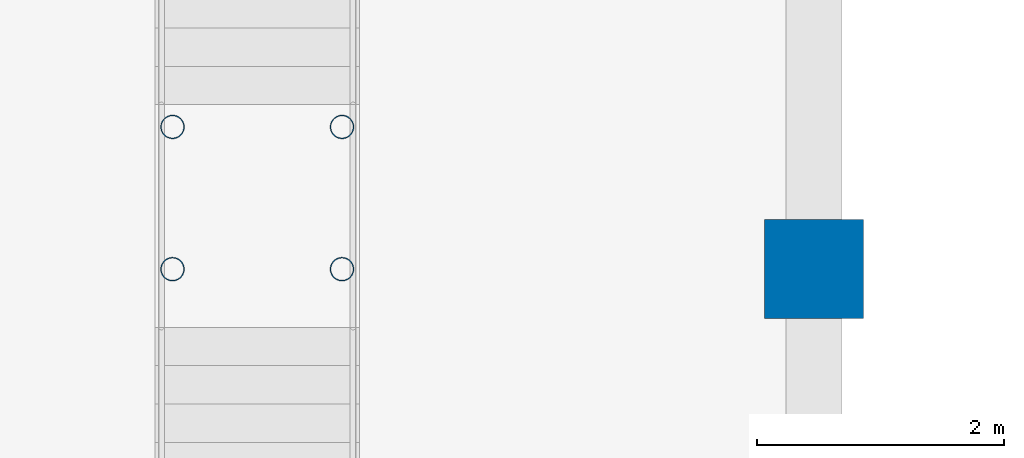
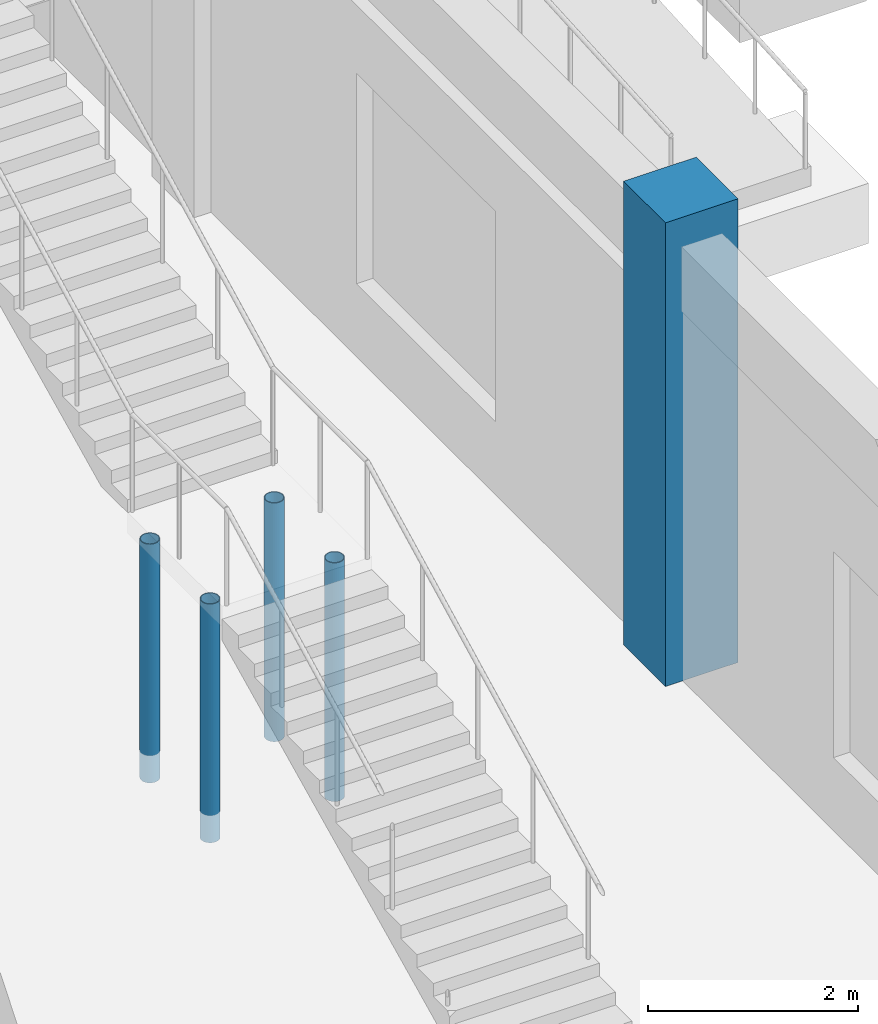
# One storey, part 4 of 76: 5 columns.
"""IFC4 building model written with IfcOpenShell, lengths in metres."""

from ifc_helpers import new_model, si_unit, direction, frame, origin, origin_2d, place, context, subcontext, project, spatial, rectangle, hollow_circle, extrude, material, material_profile, profile_set, type_object, element, save


model = new_model("IFC4")

# Units and contexts
model_context = context("Model", 3, precision=1e-05, world=origin(), true_north=direction((0.0, 1.0)))
body_context = subcontext(model_context, "Body", "Model", "MODEL_VIEW")
ifc_project = project(units=[si_unit("LENGTHUNIT", "METRE"), si_unit("AREAUNIT", "SQUARE_METRE"), si_unit("VOLUMEUNIT", "CUBIC_METRE"), si_unit("PLANEANGLEUNIT", "RADIAN"), si_unit("MASSUNIT", "GRAM", prefix="KILO")], contexts=[model_context])

# Site, building, storey
site_placement = place(None, origin())
site = spatial("IfcSite", under=ifc_project, at=site_placement, CompositionType="ELEMENT")
building_placement = place(site_placement, origin())
building = spatial("IfcBuilding", under=site, at=building_placement, Name="Bozkorgan Art Gallery", CompositionType="ELEMENT")
storey_placement = place(building_placement, origin())
storey = spatial("IfcBuildingStorey", under=building, at=storey_placement, Name="L00", CompositionType="ELEMENT", Elevation=0.0)

# Columns
ifc_material_1 = material(Name="Steel S355J2", Category="steel")
ifc_material_profile_1 = material_profile(ifc_material_1, hollow_circle(Radius=0.096923828125, WallThickness=0.008056640625, at=origin_2d()), Name="CHS 193.7x8")
ifc_profile_set_1 = profile_set([ifc_material_profile_1], Name="Steel S355J2")
column_type_1 = type_object("IfcColumnType", Name="COL-FST-SUP", PredefinedType="COLUMN", material=ifc_profile_set_1)
for number, where, z_axis, x_axis, name in (
    (1, (59.81494140625, 11.0, -0.320068359375), (0.0, 0.0, 1.0), (1.0, 0.0, 0.0), "ST7 intermediate landing post 1"),
    (2, (61.18505859375, 11.0, -0.320068359375), (0.0, 0.0, 1.0), (1.0, 0.0, 0.0), "ST7 intermediate landing post 2"),
    (3, (59.81494140625, 12.14990234375, -0.320068359375), (0.0, 0.0, 1.0), (1.0, 0.0, 0.0), "ST7 intermediate landing post 3"),
    (4, (61.18505859375, 12.14990234375, -0.320068359375), (0.0, 0.0, 1.0), (1.0, 0.0, 0.0), "ST7 intermediate landing post 4"),
):
    element("IfcColumn", number, at=place(storey_placement, frame(where, z_axis=z_axis, x_axis=x_axis)), inside=storey, type_object=column_type_1, Name=name, PredefinedType="COLUMN", context=body_context, shape_type="SweptSolid", body=[
        extrude(hollow_circle(Radius=0.096923828125, WallThickness=0.008056640625, at=origin_2d()), origin(), (0.0, 0.0, 1.0), 2.780029296875),
    ])
ifc_material_2 = material(Name="Concrete C40/50", Category="concrete")
ifc_material_profile_2 = material_profile(ifc_material_2, rectangle(XDim=0.800048828125, YDim=0.800048828125, at=origin_2d()), Name="RC 800x800")
ifc_profile_set_2 = profile_set([ifc_material_profile_2], Name="Concrete C40/50")
column_type_2 = type_object("IfcColumnType", Name="COLUMN-C-45", PredefinedType="COLUMN", material=ifc_profile_set_2)
column_placement = place(storey_placement, frame((65.0, 11.0, 0.0), z_axis=(0.0, 0.0, 1.0), x_axis=(1.0, 0.0, 0.0)))
element("IfcColumn", 5, at=column_placement, inside=storey, type_object=column_type_2, Name="V1 L00 column (65.0, 11.0)", PredefinedType="COLUMN", context=body_context, shape_type="SweptSolid", body=[
    extrude(rectangle(XDim=0.800048828125, YDim=0.800048828125, at=origin_2d()), origin(), (0.0, 0.0, 1.0), 5.39990234375),
])

save(model, "model.ifc")
